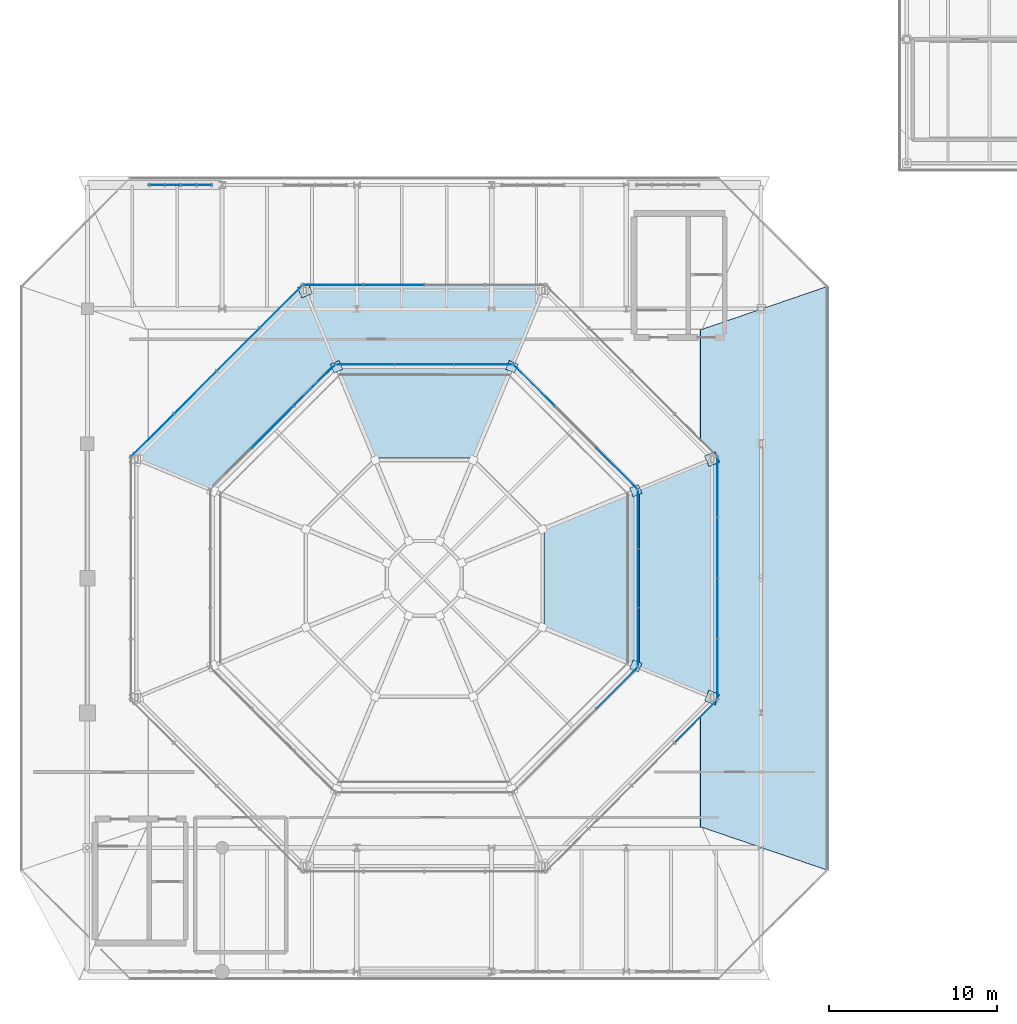
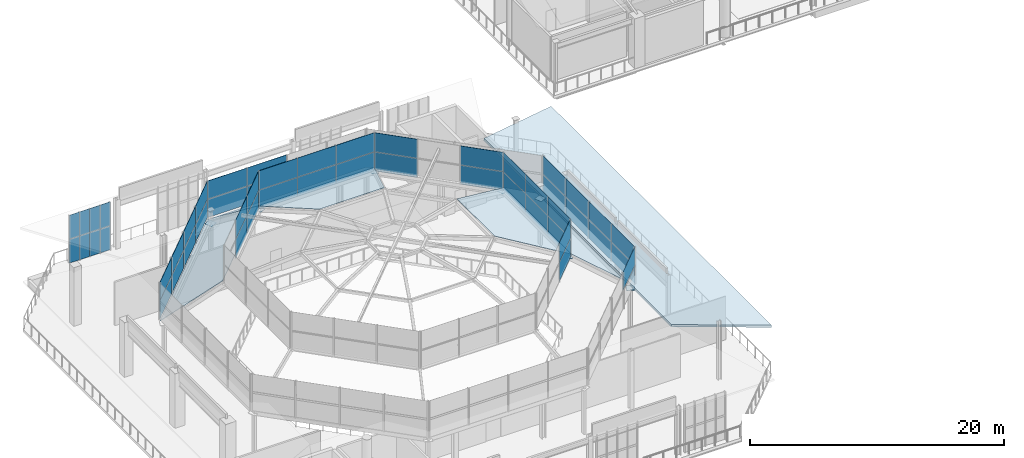
# One storey, part 21 of 30: 63 plates, 1 slab, 10 elements without a shape of their own.
"""IFC4 building model written with IfcOpenShell, lengths in metres."""

from ifc_helpers import new_model, si_unit, direction, frame, origin, origin_2d, place, context, subcontext, project, spatial, polyline, rectangle, outline, extrude, material, layer, layer_set, type_object, element, aggregate, save


model = new_model("IFC4")

# Units and contexts
model_context = context("Model", 3, precision=1e-05, world=origin(), true_north=direction((0.0, 1.0)))
body_context = subcontext(model_context, "Body", "Model", "MODEL_VIEW")
ifc_project = project(units=[si_unit("LENGTHUNIT", "METRE"), si_unit("AREAUNIT", "SQUARE_METRE"), si_unit("VOLUMEUNIT", "CUBIC_METRE"), si_unit("PLANEANGLEUNIT", "RADIAN"), si_unit("MASSUNIT", "GRAM", prefix="KILO")], contexts=[model_context])

# Site, building, storey
site_placement = place(None, origin())
site = spatial("IfcSite", under=ifc_project, at=site_placement, CompositionType="ELEMENT")
building_placement = place(site_placement, origin())
building = spatial("IfcBuilding", under=site, at=building_placement, Name="Brisemont Oceanarium", CompositionType="ELEMENT")
storey_placement = place(building_placement, frame((0.0, 0.0, 19.800048828125)))
storey = spatial("IfcBuildingStorey", under=building, at=storey_placement, Name="L04", CompositionType="ELEMENT", Elevation=19.800048828125)

# Curtain wall, plates
ifc_material_1 = material(Name="Anodized Extruded Aluminum 6063-T6", Category="aluminium")
curtain_wall_type_1 = type_object("IfcCurtainWallType", Name="CW-CLR-48X34", PredefinedType="NOTDEFINED", material=ifc_material_1)
curtain_wall_1_placement = place(storey_placement, origin())
curtain_wall_1 = element("IfcCurtainWall", 1, at=curtain_wall_1_placement, inside=storey, type_object=curtain_wall_type_1, Name="CW-22 curtain wall CW-DOME-UP-1", PredefinedType="NOTDEFINED")
ifc_material_2 = material(Name="Ceramic-Fritted Spandrel Glass", Category="glass")
ifc_layer_1 = layer(ifc_material_2, 0.030029296875)
ifc_layer_set_1 = layer_set([ifc_layer_1], Name="Ceramic-Fritted Spandrel Glass")
plate_type_1 = type_object("IfcPlateType", Name="PLT-CWP-S4", PredefinedType="CURTAIN_PANEL", material=ifc_layer_set_1)
plate_1_placement = place(storey_placement, frame((95.463134765625, 62.502197265625, 7.75146484375), z_axis=(0.0, 0.0, 1.0), x_axis=(-0.707106781187, 0.707106781187, 0.0)))
plate_1 = element("IfcPlate", 2, at=plate_1_placement, type_object=plate_type_1, Name="CW-DOME-UP-1 panel 1.1", PredefinedType="CURTAIN_PANEL", context=body_context, shape_type="SweptSolid", body=[
    extrude(rectangle(XDim=3.5048828125, YDim=0.030029296875, at=origin_2d()), origin(), (0.0, 0.0, 1.0), 1.846923828125),
])
plate_2_placement = place(storey_placement, frame((95.463134765625, 62.502197265625, 9.6015625), z_axis=(0.0, 0.0, 1.0), x_axis=(-0.707106781187, 0.707106781187, 0.0)))
plate_2 = element("IfcPlate", 3, at=plate_2_placement, type_object=plate_type_1, Name="CW-DOME-UP-1 panel 1.2", PredefinedType="CURTAIN_PANEL", context=body_context, shape_type="SweptSolid", body=[
    extrude(rectangle(XDim=3.5048828125, YDim=0.030029296875, at=origin_2d()), origin(), (0.0, 0.0, 1.0), 1.846923828125),
])
plate_3_placement = place(storey_placement, frame((90.502197265625, 67.463134765625, 7.75146484375), z_axis=(0.0, 0.0, 1.0), x_axis=(-0.707106781187, 0.707106781187, 0.0)))
plate_3 = element("IfcPlate", 4, at=plate_3_placement, type_object=plate_type_1, Name="CW-DOME-UP-1 panel 3.1", PredefinedType="CURTAIN_PANEL", context=body_context, shape_type="SweptSolid", body=[
    extrude(rectangle(XDim=3.5048828125, YDim=0.030029296875, at=origin_2d()), origin(), (0.0, 0.0, 1.0), 1.846923828125),
])
plate_4_placement = place(storey_placement, frame((90.502197265625, 67.463134765625, 9.6015625), z_axis=(0.0, 0.0, 1.0), x_axis=(-0.707106781187, 0.707106781187, 0.0)))
plate_4 = element("IfcPlate", 5, at=plate_4_placement, type_object=plate_type_1, Name="CW-DOME-UP-1 panel 3.2", PredefinedType="CURTAIN_PANEL", context=body_context, shape_type="SweptSolid", body=[
    extrude(rectangle(XDim=3.5048828125, YDim=0.030029296875, at=origin_2d()), origin(), (0.0, 0.0, 1.0), 1.846923828125),
])
aggregate(curtain_wall_1, [plate_1, plate_2, plate_3, plate_4])

curtain_wall_2_placement = place(storey_placement, origin())
curtain_wall_2 = element("IfcCurtainWall", 6, at=curtain_wall_2_placement, inside=storey, type_object=curtain_wall_type_1, Name="CW-22 curtain wall CW-DOME-UP-2", PredefinedType="NOTDEFINED")
plate_5_placement = place(storey_placement, frame((87.5078125, 68.703369140625, 7.75146484375), z_axis=(0.0, 0.0, 1.0), x_axis=(-1.0, 0.0, 0.0)))
plate_5 = element("IfcPlate", 7, at=plate_5_placement, type_object=plate_type_1, Name="CW-DOME-UP-2 panel 1.1", PredefinedType="CURTAIN_PANEL", context=body_context, shape_type="SweptSolid", body=[
    extrude(rectangle(XDim=3.5048828125, YDim=0.030029296875, at=origin_2d()), origin(), (0.0, 0.0, 1.0), 1.846923828125),
])
plate_6_placement = place(storey_placement, frame((87.5078125, 68.703369140625, 9.6015625), z_axis=(0.0, 0.0, 1.0), x_axis=(-1.0, 0.0, 0.0)))
plate_6 = element("IfcPlate", 8, at=plate_6_placement, type_object=plate_type_1, Name="CW-DOME-UP-2 panel 1.2", PredefinedType="CURTAIN_PANEL", context=body_context, shape_type="SweptSolid", body=[
    extrude(rectangle(XDim=3.5048828125, YDim=0.030029296875, at=origin_2d()), origin(), (0.0, 0.0, 1.0), 1.846923828125),
])
plate_7_placement = place(storey_placement, frame((84.0, 68.703369140625, 7.75146484375), z_axis=(0.0, 0.0, 1.0), x_axis=(-1.0, 0.0, 0.0)))
plate_7 = element("IfcPlate", 9, at=plate_7_placement, type_object=plate_type_1, Name="CW-DOME-UP-2 panel 2.1", PredefinedType="CURTAIN_PANEL", context=body_context, shape_type="SweptSolid", body=[
    extrude(rectangle(XDim=3.5048828125, YDim=0.030029296875, at=origin_2d()), origin(), (0.0, 0.0, 1.0), 1.846923828125),
])
plate_8_placement = place(storey_placement, frame((84.0, 68.703369140625, 9.6015625), z_axis=(0.0, 0.0, 1.0), x_axis=(-1.0, 0.0, 0.0)))
plate_8 = element("IfcPlate", 10, at=plate_8_placement, type_object=plate_type_1, Name="CW-DOME-UP-2 panel 2.2", PredefinedType="CURTAIN_PANEL", context=body_context, shape_type="SweptSolid", body=[
    extrude(rectangle(XDim=3.5048828125, YDim=0.030029296875, at=origin_2d()), origin(), (0.0, 0.0, 1.0), 1.846923828125),
])
plate_9_placement = place(storey_placement, frame((80.4921875, 68.703369140625, 7.75146484375), z_axis=(0.0, 0.0, 1.0), x_axis=(-1.0, 0.0, 0.0)))
plate_9 = element("IfcPlate", 11, at=plate_9_placement, type_object=plate_type_1, Name="CW-DOME-UP-2 panel 3.1", PredefinedType="CURTAIN_PANEL", context=body_context, shape_type="SweptSolid", body=[
    extrude(rectangle(XDim=3.5048828125, YDim=0.030029296875, at=origin_2d()), origin(), (0.0, 0.0, 1.0), 1.846923828125),
])
plate_10_placement = place(storey_placement, frame((80.4921875, 68.703369140625, 9.6015625), z_axis=(0.0, 0.0, 1.0), x_axis=(-1.0, 0.0, 0.0)))
plate_10 = element("IfcPlate", 12, at=plate_10_placement, type_object=plate_type_1, Name="CW-DOME-UP-2 panel 3.2", PredefinedType="CURTAIN_PANEL", context=body_context, shape_type="SweptSolid", body=[
    extrude(rectangle(XDim=3.5048828125, YDim=0.030029296875, at=origin_2d()), origin(), (0.0, 0.0, 1.0), 1.846923828125),
])
aggregate(curtain_wall_2, [plate_5, plate_6, plate_7, plate_8, plate_9, plate_10])

curtain_wall_3_placement = place(storey_placement, origin())
curtain_wall_3 = element("IfcCurtainWall", 13, at=curtain_wall_3_placement, inside=storey, type_object=curtain_wall_type_1, Name="CW-22 curtain wall CW-DOME-UP-3", PredefinedType="NOTDEFINED")
plate_11_placement = place(storey_placement, frame((77.497802734375, 67.463134765625, 7.75146484375), z_axis=(0.0, 0.0, 1.0), x_axis=(-0.707106781187, -0.707106781187, 0.0)))
plate_11 = element("IfcPlate", 14, at=plate_11_placement, type_object=plate_type_1, Name="CW-DOME-UP-3 panel 1.1", PredefinedType="CURTAIN_PANEL", context=body_context, shape_type="SweptSolid", body=[
    extrude(rectangle(XDim=3.5048828125, YDim=0.030029296875, at=origin_2d()), origin(), (0.0, 0.0, 1.0), 1.846923828125),
])
plate_12_placement = place(storey_placement, frame((77.497802734375, 67.463134765625, 9.6015625), z_axis=(0.0, 0.0, 1.0), x_axis=(-0.707106781187, -0.707106781187, 0.0)))
plate_12 = element("IfcPlate", 15, at=plate_12_placement, type_object=plate_type_1, Name="CW-DOME-UP-3 panel 1.2", PredefinedType="CURTAIN_PANEL", context=body_context, shape_type="SweptSolid", body=[
    extrude(rectangle(XDim=3.5048828125, YDim=0.030029296875, at=origin_2d()), origin(), (0.0, 0.0, 1.0), 1.846923828125),
])
plate_13_placement = place(storey_placement, frame((75.017333984375, 64.982666015625, 7.75146484375), z_axis=(0.0, 0.0, 1.0), x_axis=(-0.707106781187, -0.707106781187, 0.0)))
plate_13 = element("IfcPlate", 16, at=plate_13_placement, type_object=plate_type_1, Name="CW-DOME-UP-3 panel 2.1", PredefinedType="CURTAIN_PANEL", context=body_context, shape_type="SweptSolid", body=[
    extrude(rectangle(XDim=3.5048828125, YDim=0.030029296875, at=origin_2d()), origin(), (0.0, 0.0, 1.0), 1.846923828125),
])
plate_14_placement = place(storey_placement, frame((75.017333984375, 64.982666015625, 9.6015625), z_axis=(0.0, 0.0, 1.0), x_axis=(-0.707106781187, -0.707106781187, 0.0)))
plate_14 = element("IfcPlate", 17, at=plate_14_placement, type_object=plate_type_1, Name="CW-DOME-UP-3 panel 2.2", PredefinedType="CURTAIN_PANEL", context=body_context, shape_type="SweptSolid", body=[
    extrude(rectangle(XDim=3.5048828125, YDim=0.030029296875, at=origin_2d()), origin(), (0.0, 0.0, 1.0), 1.846923828125),
])
aggregate(curtain_wall_3, [plate_11, plate_12, plate_13, plate_14])

curtain_wall_4_placement = place(storey_placement, origin())
curtain_wall_4 = element("IfcCurtainWall", 18, at=curtain_wall_4_placement, inside=storey, type_object=curtain_wall_type_1, Name="CW-22 curtain wall CW-DOME-UP-7", PredefinedType="NOTDEFINED")
plate_15_placement = place(storey_placement, frame((95.463134765625, 49.497802734375, 7.75146484375), z_axis=(0.0, 0.0, 1.0), x_axis=(0.707106781187, 0.707106781187, 0.0)))
plate_15 = element("IfcPlate", 19, at=plate_15_placement, type_object=plate_type_1, Name="CW-DOME-UP-7 panel 3.1", PredefinedType="CURTAIN_PANEL", context=body_context, shape_type="SweptSolid", body=[
    extrude(rectangle(XDim=3.5048828125, YDim=0.030029296875, at=origin_2d()), origin(), (0.0, 0.0, 1.0), 1.846923828125),
])
plate_16_placement = place(storey_placement, frame((95.463134765625, 49.497802734375, 9.6015625), z_axis=(0.0, 0.0, 1.0), x_axis=(0.707106781187, 0.707106781187, 0.0)))
plate_16 = element("IfcPlate", 20, at=plate_16_placement, type_object=plate_type_1, Name="CW-DOME-UP-7 panel 3.2", PredefinedType="CURTAIN_PANEL", context=body_context, shape_type="SweptSolid", body=[
    extrude(rectangle(XDim=3.5048828125, YDim=0.030029296875, at=origin_2d()), origin(), (0.0, 0.0, 1.0), 1.846923828125),
])
aggregate(curtain_wall_4, [plate_15, plate_16])

curtain_wall_5_placement = place(storey_placement, origin())
curtain_wall_5 = element("IfcCurtainWall", 21, at=curtain_wall_5_placement, inside=storey, type_object=curtain_wall_type_1, Name="CW-22 curtain wall CW-DOME-UP-8", PredefinedType="NOTDEFINED")
plate_17_placement = place(storey_placement, frame((96.703369140625, 52.4921875, 7.75146484375), z_axis=(0.0, 0.0, 1.0), x_axis=(0.0, 1.0, 0.0)))
plate_17 = element("IfcPlate", 22, at=plate_17_placement, type_object=plate_type_1, Name="CW-DOME-UP-8 panel 1.1", PredefinedType="CURTAIN_PANEL", context=body_context, shape_type="SweptSolid", body=[
    extrude(rectangle(XDim=3.5048828125, YDim=0.030029296875, at=origin_2d()), origin(), (0.0, 0.0, 1.0), 1.846923828125),
])
plate_18_placement = place(storey_placement, frame((96.703369140625, 52.4921875, 9.6015625), z_axis=(0.0, 0.0, 1.0), x_axis=(0.0, 1.0, 0.0)))
plate_18 = element("IfcPlate", 23, at=plate_18_placement, type_object=plate_type_1, Name="CW-DOME-UP-8 panel 1.2", PredefinedType="CURTAIN_PANEL", context=body_context, shape_type="SweptSolid", body=[
    extrude(rectangle(XDim=3.5048828125, YDim=0.030029296875, at=origin_2d()), origin(), (0.0, 0.0, 1.0), 1.846923828125),
])
plate_19_placement = place(storey_placement, frame((96.703369140625, 56.0, 7.75146484375), z_axis=(0.0, 0.0, 1.0), x_axis=(0.0, 1.0, 0.0)))
plate_19 = element("IfcPlate", 24, at=plate_19_placement, type_object=plate_type_1, Name="CW-DOME-UP-8 panel 2.1", PredefinedType="CURTAIN_PANEL", context=body_context, shape_type="SweptSolid", body=[
    extrude(rectangle(XDim=3.5048828125, YDim=0.030029296875, at=origin_2d()), origin(), (0.0, 0.0, 1.0), 1.846923828125),
])
plate_20_placement = place(storey_placement, frame((96.703369140625, 56.0, 9.6015625), z_axis=(0.0, 0.0, 1.0), x_axis=(0.0, 1.0, 0.0)))
plate_20 = element("IfcPlate", 25, at=plate_20_placement, type_object=plate_type_1, Name="CW-DOME-UP-8 panel 2.2", PredefinedType="CURTAIN_PANEL", context=body_context, shape_type="SweptSolid", body=[
    extrude(rectangle(XDim=3.5048828125, YDim=0.030029296875, at=origin_2d()), origin(), (0.0, 0.0, 1.0), 1.846923828125),
])
plate_21_placement = place(storey_placement, frame((96.703369140625, 59.5078125, 7.75146484375), z_axis=(0.0, 0.0, 1.0), x_axis=(0.0, 1.0, 0.0)))
plate_21 = element("IfcPlate", 26, at=plate_21_placement, type_object=plate_type_1, Name="CW-DOME-UP-8 panel 3.1", PredefinedType="CURTAIN_PANEL", context=body_context, shape_type="SweptSolid", body=[
    extrude(rectangle(XDim=3.5048828125, YDim=0.030029296875, at=origin_2d()), origin(), (0.0, 0.0, 1.0), 1.846923828125),
])
plate_22_placement = place(storey_placement, frame((96.703369140625, 59.5078125, 9.6015625), z_axis=(0.0, 0.0, 1.0), x_axis=(0.0, 1.0, 0.0)))
plate_22 = element("IfcPlate", 27, at=plate_22_placement, type_object=plate_type_1, Name="CW-DOME-UP-8 panel 3.2", PredefinedType="CURTAIN_PANEL", context=body_context, shape_type="SweptSolid", body=[
    extrude(rectangle(XDim=3.5048828125, YDim=0.030029296875, at=origin_2d()), origin(), (0.0, 0.0, 1.0), 1.846923828125),
])
aggregate(curtain_wall_5, [plate_17, plate_18, plate_19, plate_20, plate_21, plate_22])

ifc_material_3 = material(Name="Anodized Extruded Aluminum 6063-T6", Category="aluminium")
curtain_wall_type_2 = type_object("IfcCurtainWallType", Name="CW-ROT-69X44", PredefinedType="NOTDEFINED", material=ifc_material_3)
curtain_wall_6_placement = place(storey_placement, origin())
curtain_wall_6 = element("IfcCurtainWall", 28, at=curtain_wall_6_placement, inside=storey, type_object=curtain_wall_type_2, Name="CW-03 curtain wall CW-V1-N-L04-01", PredefinedType="NOTDEFINED")
ifc_material_4 = material(Name="Insulated Low-E Laminated Glass", Category="glass")
ifc_layer_2 = layer(ifc_material_4, 0.028076171875)
ifc_layer_set_2 = layer_set([ifc_layer_2], Name="Insulated Low-E Laminated Glass")
plate_type_2 = type_object("IfcPlateType", Name="PLT-CWP-V3", PredefinedType="CURTAIN_PANEL", material=ifc_layer_set_2)
plate_23_placement = place(storey_placement, frame((68.121337890625, 79.35009765625, 0.00146484375), z_axis=(0.0, 0.0, 1.0), x_axis=(1.0, 0.0, 0.0)))
plate_23 = element("IfcPlate", 29, at=plate_23_placement, type_object=plate_type_2, Name="CW-V1-N-L04-01 panel 1.1", PredefinedType="CURTAIN_PANEL", context=body_context, shape_type="SweptSolid", body=[
    extrude(rectangle(XDim=0.939453125, YDim=0.028076171875, at=origin_2d()), origin(), (0.0, 0.0, 1.0), 2.297119140625),
])
plate_24_placement = place(storey_placement, frame((68.121337890625, 79.35009765625, 2.30126953125), z_axis=(0.0, 0.0, 1.0), x_axis=(1.0, 0.0, 0.0)))
plate_24 = element("IfcPlate", 30, at=plate_24_placement, type_object=plate_type_2, Name="CW-V1-N-L04-01 panel 1.2", PredefinedType="CURTAIN_PANEL", context=body_context, shape_type="SweptSolid", body=[
    extrude(rectangle(XDim=0.939453125, YDim=0.028076171875, at=origin_2d()), origin(), (0.0, 0.0, 1.0), 2.297119140625),
])
plate_25_placement = place(storey_placement, frame((69.063720703125, 79.35009765625, 0.00146484375), z_axis=(0.0, 0.0, 1.0), x_axis=(1.0, 0.0, 0.0)))
plate_25 = element("IfcPlate", 31, at=plate_25_placement, type_object=plate_type_2, Name="CW-V1-N-L04-01 panel 2.1", PredefinedType="CURTAIN_PANEL", context=body_context, shape_type="SweptSolid", body=[
    extrude(rectangle(XDim=0.939453125, YDim=0.028076171875, at=origin_2d()), origin(), (0.0, 0.0, 1.0), 2.297119140625),
])
plate_26_placement = place(storey_placement, frame((69.063720703125, 79.35009765625, 2.30126953125), z_axis=(0.0, 0.0, 1.0), x_axis=(1.0, 0.0, 0.0)))
plate_26 = element("IfcPlate", 32, at=plate_26_placement, type_object=plate_type_2, Name="CW-V1-N-L04-01 panel 2.2", PredefinedType="CURTAIN_PANEL", context=body_context, shape_type="SweptSolid", body=[
    extrude(rectangle(XDim=0.939453125, YDim=0.028076171875, at=origin_2d()), origin(), (0.0, 0.0, 1.0), 2.297119140625),
])
plate_27_placement = place(storey_placement, frame((70.00634765625, 79.35009765625, 0.00146484375), z_axis=(0.0, 0.0, 1.0), x_axis=(1.0, 0.0, 0.0)))
plate_27 = element("IfcPlate", 33, at=plate_27_placement, type_object=plate_type_2, Name="CW-V1-N-L04-01 panel 3.1", PredefinedType="CURTAIN_PANEL", context=body_context, shape_type="SweptSolid", body=[
    extrude(rectangle(XDim=0.939453125, YDim=0.028076171875, at=origin_2d()), origin(), (0.0, 0.0, 1.0), 2.297119140625),
])
plate_28_placement = place(storey_placement, frame((70.00634765625, 79.35009765625, 2.30126953125), z_axis=(0.0, 0.0, 1.0), x_axis=(1.0, 0.0, 0.0)))
plate_28 = element("IfcPlate", 34, at=plate_28_placement, type_object=plate_type_2, Name="CW-V1-N-L04-01 panel 3.2", PredefinedType="CURTAIN_PANEL", context=body_context, shape_type="SweptSolid", body=[
    extrude(rectangle(XDim=0.939453125, YDim=0.028076171875, at=origin_2d()), origin(), (0.0, 0.0, 1.0), 2.297119140625),
])
plate_29_placement = place(storey_placement, frame((70.94873046875, 79.35009765625, 0.00146484375), z_axis=(0.0, 0.0, 1.0), x_axis=(1.0, 0.0, 0.0)))
plate_29 = element("IfcPlate", 35, at=plate_29_placement, type_object=plate_type_2, Name="CW-V1-N-L04-01 panel 4.1", PredefinedType="CURTAIN_PANEL", context=body_context, shape_type="SweptSolid", body=[
    extrude(rectangle(XDim=0.939453125, YDim=0.028076171875, at=origin_2d()), origin(), (0.0, 0.0, 1.0), 2.297119140625),
])
plate_30_placement = place(storey_placement, frame((70.94873046875, 79.35009765625, 2.30126953125), z_axis=(0.0, 0.0, 1.0), x_axis=(1.0, 0.0, 0.0)))
plate_30 = element("IfcPlate", 36, at=plate_30_placement, type_object=plate_type_2, Name="CW-V1-N-L04-01 panel 4.2", PredefinedType="CURTAIN_PANEL", context=body_context, shape_type="SweptSolid", body=[
    extrude(rectangle(XDim=0.939453125, YDim=0.028076171875, at=origin_2d()), origin(), (0.0, 0.0, 1.0), 2.297119140625),
])
aggregate(curtain_wall_6, [plate_23, plate_24, plate_25, plate_26, plate_27, plate_28, plate_29, plate_30])

curtain_wall_7_placement = place(storey_placement, origin())
curtain_wall_7 = element("IfcCurtainWall", 37, at=curtain_wall_7_placement, inside=storey, type_object=curtain_wall_type_2, Name="CW-03 curtain wall CW-DOME-DRUM-2", PredefinedType="NOTDEFINED")
plate_31_placement = place(storey_placement, frame((82.196533203125, 73.4150390625, 4.78125), z_axis=(0.0, 0.0, 1.0), x_axis=(-1.0, 0.0, 0.0)))
plate_31 = element("IfcPlate", 38, at=plate_31_placement, type_object=plate_type_2, Name="CW-DOME-DRUM-2 panel 3.1", PredefinedType="CURTAIN_PANEL", context=body_context, shape_type="SweptSolid", body=[
    extrude(rectangle(XDim=3.603759765625, YDim=0.028076171875, at=origin_2d()), origin(), (0.0, 0.0, 1.0), 1.757080078125),
])
plate_32_placement = place(storey_placement, frame((82.196533203125, 73.4150390625, 6.54150390625), z_axis=(0.0, 0.0, 1.0), x_axis=(-1.0, 0.0, 0.0)))
plate_32 = element("IfcPlate", 39, at=plate_32_placement, type_object=plate_type_2, Name="CW-DOME-DRUM-2 panel 3.2", PredefinedType="CURTAIN_PANEL", context=body_context, shape_type="SweptSolid", body=[
    extrude(rectangle(XDim=3.603759765625, YDim=0.028076171875, at=origin_2d()), origin(), (0.0, 0.0, 1.0), 1.757080078125),
])
plate_33_placement = place(storey_placement, frame((78.58984375, 73.4150390625, 4.78125), z_axis=(0.0, 0.0, 1.0), x_axis=(-1.0, 0.0, 0.0)))
plate_33 = element("IfcPlate", 40, at=plate_33_placement, type_object=plate_type_2, Name="CW-DOME-DRUM-2 panel 4.1", PredefinedType="CURTAIN_PANEL", context=body_context, shape_type="SweptSolid", body=[
    extrude(rectangle(XDim=3.603759765625, YDim=0.028076171875, at=origin_2d()), origin(), (0.0, 0.0, 1.0), 1.757080078125),
])
plate_34_placement = place(storey_placement, frame((78.58984375, 73.4150390625, 6.54150390625), z_axis=(0.0, 0.0, 1.0), x_axis=(-1.0, 0.0, 0.0)))
plate_34 = element("IfcPlate", 41, at=plate_34_placement, type_object=plate_type_2, Name="CW-DOME-DRUM-2 panel 4.2", PredefinedType="CURTAIN_PANEL", context=body_context, shape_type="SweptSolid", body=[
    extrude(rectangle(XDim=3.603759765625, YDim=0.028076171875, at=origin_2d()), origin(), (0.0, 0.0, 1.0), 1.757080078125),
])
aggregate(curtain_wall_7, [plate_31, plate_32, plate_33, plate_34])

curtain_wall_8_placement = place(storey_placement, origin())
curtain_wall_8 = element("IfcCurtainWall", 42, at=curtain_wall_8_placement, inside=storey, type_object=curtain_wall_type_2, Name="CW-03 curtain wall CW-DOME-DRUM-3", PredefinedType="NOTDEFINED")
plate_35_placement = place(storey_placement, frame((75.51123046875, 72.139892578125, 4.78125), z_axis=(0.0, 0.0, 1.0), x_axis=(-0.707106781187, -0.707106781187, 0.0)))
plate_35 = element("IfcPlate", 43, at=plate_35_placement, type_object=plate_type_2, Name="CW-DOME-DRUM-3 panel 1.1", PredefinedType="CURTAIN_PANEL", context=body_context, shape_type="SweptSolid", body=[
    extrude(rectangle(XDim=3.603759765625, YDim=0.028076171875, at=origin_2d()), origin(), (0.0, 0.0, 1.0), 1.757080078125),
])
plate_36_placement = place(storey_placement, frame((75.51123046875, 72.139892578125, 6.54150390625), z_axis=(0.0, 0.0, 1.0), x_axis=(-0.707106781187, -0.707106781187, 0.0)))
plate_36 = element("IfcPlate", 44, at=plate_36_placement, type_object=plate_type_2, Name="CW-DOME-DRUM-3 panel 1.2", PredefinedType="CURTAIN_PANEL", context=body_context, shape_type="SweptSolid", body=[
    extrude(rectangle(XDim=3.603759765625, YDim=0.028076171875, at=origin_2d()), origin(), (0.0, 0.0, 1.0), 1.757080078125),
])
plate_37_placement = place(storey_placement, frame((72.960693359375, 69.589599609375, 4.78125), z_axis=(0.0, 0.0, 1.0), x_axis=(-0.707106781187, -0.707106781187, 0.0)))
plate_37 = element("IfcPlate", 45, at=plate_37_placement, type_object=plate_type_2, Name="CW-DOME-DRUM-3 panel 2.1", PredefinedType="CURTAIN_PANEL", context=body_context, shape_type="SweptSolid", body=[
    extrude(rectangle(XDim=3.603759765625, YDim=0.028076171875, at=origin_2d()), origin(), (0.0, 0.0, 1.0), 1.757080078125),
])
plate_38_placement = place(storey_placement, frame((72.960693359375, 69.589599609375, 6.54150390625), z_axis=(0.0, 0.0, 1.0), x_axis=(-0.707106781187, -0.707106781187, 0.0)))
plate_38 = element("IfcPlate", 46, at=plate_38_placement, type_object=plate_type_2, Name="CW-DOME-DRUM-3 panel 2.2", PredefinedType="CURTAIN_PANEL", context=body_context, shape_type="SweptSolid", body=[
    extrude(rectangle(XDim=3.603759765625, YDim=0.028076171875, at=origin_2d()), origin(), (0.0, 0.0, 1.0), 1.757080078125),
])
plate_39_placement = place(storey_placement, frame((70.410400390625, 67.039306640625, 4.78125), z_axis=(0.0, 0.0, 1.0), x_axis=(-0.707106781187, -0.707106781187, 0.0)))
plate_39 = element("IfcPlate", 47, at=plate_39_placement, type_object=plate_type_2, Name="CW-DOME-DRUM-3 panel 3.1", PredefinedType="CURTAIN_PANEL", context=body_context, shape_type="SweptSolid", body=[
    extrude(rectangle(XDim=3.603759765625, YDim=0.028076171875, at=origin_2d()), origin(), (0.0, 0.0, 1.0), 1.757080078125),
])
plate_40_placement = place(storey_placement, frame((70.410400390625, 67.039306640625, 6.54150390625), z_axis=(0.0, 0.0, 1.0), x_axis=(-0.707106781187, -0.707106781187, 0.0)))
plate_40 = element("IfcPlate", 48, at=plate_40_placement, type_object=plate_type_2, Name="CW-DOME-DRUM-3 panel 3.2", PredefinedType="CURTAIN_PANEL", context=body_context, shape_type="SweptSolid", body=[
    extrude(rectangle(XDim=3.603759765625, YDim=0.028076171875, at=origin_2d()), origin(), (0.0, 0.0, 1.0), 1.757080078125),
])
plate_41_placement = place(storey_placement, frame((67.860107421875, 64.48876953125, 4.78125), z_axis=(0.0, 0.0, 1.0), x_axis=(-0.707106781187, -0.707106781187, 0.0)))
plate_41 = element("IfcPlate", 49, at=plate_41_placement, type_object=plate_type_2, Name="CW-DOME-DRUM-3 panel 4.1", PredefinedType="CURTAIN_PANEL", context=body_context, shape_type="SweptSolid", body=[
    extrude(rectangle(XDim=3.603759765625, YDim=0.028076171875, at=origin_2d()), origin(), (0.0, 0.0, 1.0), 1.757080078125),
])
plate_42_placement = place(storey_placement, frame((67.860107421875, 64.48876953125, 6.54150390625), z_axis=(0.0, 0.0, 1.0), x_axis=(-0.707106781187, -0.707106781187, 0.0)))
plate_42 = element("IfcPlate", 50, at=plate_42_placement, type_object=plate_type_2, Name="CW-DOME-DRUM-3 panel 4.2", PredefinedType="CURTAIN_PANEL", context=body_context, shape_type="SweptSolid", body=[
    extrude(rectangle(XDim=3.603759765625, YDim=0.028076171875, at=origin_2d()), origin(), (0.0, 0.0, 1.0), 1.757080078125),
])
aggregate(curtain_wall_8, [plate_35, plate_36, plate_37, plate_38, plate_39, plate_40, plate_41, plate_42])

# Curtain wall, plate
curtain_wall_9_placement = place(storey_placement, origin())
curtain_wall_9 = element("IfcCurtainWall", 51, at=curtain_wall_9_placement, inside=storey, type_object=curtain_wall_type_2, Name="CW-03 curtain wall CW-DOME-DRUM-7", PredefinedType="NOTDEFINED")
plate_43_placement = place(storey_placement, frame((100.139892578125, 47.51123046875, 6.54150390625), z_axis=(0.0, 0.0, 1.0), x_axis=(0.707106781187, 0.707106781187, 0.0)))
plate_43 = element("IfcPlate", 52, at=plate_43_placement, type_object=plate_type_2, Name="CW-DOME-DRUM-7 panel 4.2", PredefinedType="CURTAIN_PANEL", context=body_context, shape_type="SweptSolid", body=[
    extrude(rectangle(XDim=3.603759765625, YDim=0.028076171875, at=origin_2d()), origin(), (0.0, 0.0, 1.0), 1.757080078125),
])
aggregate(curtain_wall_9, [plate_43])

# Curtain wall, plates
curtain_wall_10_placement = place(storey_placement, origin())
curtain_wall_10 = element("IfcCurtainWall", 53, at=curtain_wall_10_placement, inside=storey, type_object=curtain_wall_type_2, Name="CW-03 curtain wall CW-DOME-DRUM-8", PredefinedType="NOTDEFINED")
plate_44_placement = place(storey_placement, frame((101.4150390625, 50.58984375, 4.78125), z_axis=(0.0, 0.0, 1.0), x_axis=(0.0, 1.0, 0.0)))
plate_44 = element("IfcPlate", 54, at=plate_44_placement, type_object=plate_type_2, Name="CW-DOME-DRUM-8 panel 1.1", PredefinedType="CURTAIN_PANEL", context=body_context, shape_type="SweptSolid", body=[
    extrude(rectangle(XDim=3.603759765625, YDim=0.028076171875, at=origin_2d()), origin(), (0.0, 0.0, 1.0), 1.757080078125),
])
plate_45_placement = place(storey_placement, frame((101.4150390625, 50.58984375, 6.54150390625), z_axis=(0.0, 0.0, 1.0), x_axis=(0.0, 1.0, 0.0)))
plate_45 = element("IfcPlate", 55, at=plate_45_placement, type_object=plate_type_2, Name="CW-DOME-DRUM-8 panel 1.2", PredefinedType="CURTAIN_PANEL", context=body_context, shape_type="SweptSolid", body=[
    extrude(rectangle(XDim=3.603759765625, YDim=0.028076171875, at=origin_2d()), origin(), (0.0, 0.0, 1.0), 1.757080078125),
])
plate_46_placement = place(storey_placement, frame((101.4150390625, 54.196533203125, 4.78125), z_axis=(0.0, 0.0, 1.0), x_axis=(0.0, 1.0, 0.0)))
plate_46 = element("IfcPlate", 56, at=plate_46_placement, type_object=plate_type_2, Name="CW-DOME-DRUM-8 panel 2.1", PredefinedType="CURTAIN_PANEL", context=body_context, shape_type="SweptSolid", body=[
    extrude(rectangle(XDim=3.603759765625, YDim=0.028076171875, at=origin_2d()), origin(), (0.0, 0.0, 1.0), 1.757080078125),
])
plate_47_placement = place(storey_placement, frame((101.4150390625, 54.196533203125, 6.54150390625), z_axis=(0.0, 0.0, 1.0), x_axis=(0.0, 1.0, 0.0)))
plate_47 = element("IfcPlate", 57, at=plate_47_placement, type_object=plate_type_2, Name="CW-DOME-DRUM-8 panel 2.2", PredefinedType="CURTAIN_PANEL", context=body_context, shape_type="SweptSolid", body=[
    extrude(rectangle(XDim=3.603759765625, YDim=0.028076171875, at=origin_2d()), origin(), (0.0, 0.0, 1.0), 1.757080078125),
])
plate_48_placement = place(storey_placement, frame((101.4150390625, 57.803466796875, 4.78125), z_axis=(0.0, 0.0, 1.0), x_axis=(0.0, 1.0, 0.0)))
plate_48 = element("IfcPlate", 58, at=plate_48_placement, type_object=plate_type_2, Name="CW-DOME-DRUM-8 panel 3.1", PredefinedType="CURTAIN_PANEL", context=body_context, shape_type="SweptSolid", body=[
    extrude(rectangle(XDim=3.603759765625, YDim=0.028076171875, at=origin_2d()), origin(), (0.0, 0.0, 1.0), 1.757080078125),
])
plate_49_placement = place(storey_placement, frame((101.4150390625, 57.803466796875, 6.54150390625), z_axis=(0.0, 0.0, 1.0), x_axis=(0.0, 1.0, 0.0)))
plate_49 = element("IfcPlate", 59, at=plate_49_placement, type_object=plate_type_2, Name="CW-DOME-DRUM-8 panel 3.2", PredefinedType="CURTAIN_PANEL", context=body_context, shape_type="SweptSolid", body=[
    extrude(rectangle(XDim=3.603759765625, YDim=0.028076171875, at=origin_2d()), origin(), (0.0, 0.0, 1.0), 1.757080078125),
])
plate_50_placement = place(storey_placement, frame((101.4150390625, 61.41015625, 4.78125), z_axis=(0.0, 0.0, 1.0), x_axis=(0.0, 1.0, 0.0)))
plate_50 = element("IfcPlate", 60, at=plate_50_placement, type_object=plate_type_2, Name="CW-DOME-DRUM-8 panel 4.1", PredefinedType="CURTAIN_PANEL", context=body_context, shape_type="SweptSolid", body=[
    extrude(rectangle(XDim=3.603759765625, YDim=0.028076171875, at=origin_2d()), origin(), (0.0, 0.0, 1.0), 1.757080078125),
])
plate_51_placement = place(storey_placement, frame((101.4150390625, 61.41015625, 6.54150390625), z_axis=(0.0, 0.0, 1.0), x_axis=(0.0, 1.0, 0.0)))
plate_51 = element("IfcPlate", 61, at=plate_51_placement, type_object=plate_type_2, Name="CW-DOME-DRUM-8 panel 4.2", PredefinedType="CURTAIN_PANEL", context=body_context, shape_type="SweptSolid", body=[
    extrude(rectangle(XDim=3.603759765625, YDim=0.028076171875, at=origin_2d()), origin(), (0.0, 0.0, 1.0), 1.757080078125),
])
aggregate(curtain_wall_10, [plate_44, plate_45, plate_46, plate_47, plate_48, plate_49, plate_50, plate_51])

# Plates
ifc_material_5 = material(Name="Insulated Low-E Laminated Glass", Category="glass")
ifc_layer_3 = layer(ifc_material_5, 0.035888671875)
ifc_layer_set_3 = layer_set([ifc_layer_3], Name="Insulated Low-E Laminated Glass")
plate_type_3 = type_object("IfcPlateType", Name="PLT-DOME-GL1", PredefinedType="USERDEFINED", material=ifc_layer_set_3)
plate_52_placement = place(storey_placement, frame((91.20703125, 73.3994140625, 4.619873046875), z_axis=(0.0, 0.595962864768, 0.803011994815), x_axis=(-1.0, 0.0, 0.0)))
element("IfcPlate", 62, at=plate_52_placement, inside=storey, type_object=plate_type_3, Name="V1 dome laminated skylight facet 1.2", ObjectType="SKYLIGHT_PANEL", PredefinedType="USERDEFINED", context=body_context, shape_type="SweptSolid", body=[
    extrude(outline(polyline([(0.0, 0.0), (14.4140625, 0.0), (12.505126953125, 5.738891158855395), (1.908935546875, 5.738891158855395), (0.0, 0.0)])), origin(), (0.0, 0.0, -1.0), 0.035888671875),
])
plate_53_placement = place(storey_placement, frame((76.79296875, 73.3994140625, 4.619873046875), z_axis=(-0.421406280375, 0.421406280375, 0.803015251239), x_axis=(-0.707106781187, -0.707106781187, 0.0)))
element("IfcPlate", 63, at=plate_53_placement, inside=storey, type_object=plate_type_3, Name="V1 dome laminated skylight facet 1.3", ObjectType="SKYLIGHT_PANEL", PredefinedType="USERDEFINED", context=body_context, shape_type="SweptSolid", body=[
    extrude(outline(polyline([(0.0, 0.0), (14.414206006335931, 0.0), (12.505397490813555, 5.738933411913823), (1.9088085155223768, 5.738933411913824), (0.0, 0.0)])), origin(), (0.0, 0.0, -1.0), 0.035888671875),
])
plate_54_placement = place(storey_placement, frame((101.3994140625, 48.79296875, 4.619873046875), z_axis=(0.595962864768, 0.0, 0.803011994815), x_axis=(0.0, 1.0, 0.0)))
element("IfcPlate", 64, at=plate_54_placement, inside=storey, type_object=plate_type_3, Name="V1 dome laminated skylight facet 1.8", ObjectType="SKYLIGHT_PANEL", PredefinedType="USERDEFINED", context=body_context, shape_type="SweptSolid", body=[
    extrude(outline(polyline([(0.0, 0.0), (14.4140625, 0.0), (12.505126953125, 5.738891158855395), (1.908935546875, 5.738891158855395), (0.0, 0.0)])), origin(), (0.0, 0.0, -1.0), 0.035888671875),
])
ifc_material_6 = material(Name="Insulated Low-E Laminated Glass", Category="glass")
ifc_layer_4 = layer(ifc_material_6, 0.033935546875)
ifc_layer_set_4 = layer_set([ifc_layer_4], Name="Insulated Low-E Laminated Glass")
plate_type_4 = type_object("IfcPlateType", Name="PLT-DOME-GL2", PredefinedType="USERDEFINED", material=ifc_layer_set_4)
for number, where, z_axis, x_axis, name in (
    (65, (89.298095703125, 68.791015625, 8.0400390625), (0.0, 0.377406331101, 0.926047764019), (-1.0, 0.0, 0.0), "V1 dome laminated skylight facet 2.2"),
    (66, (96.791015625, 50.701904296875, 8.0400390625), (0.377406331101, 0.0, 0.926047764019), (0.0, 1.0, 0.0), "V1 dome laminated skylight facet 2.8"),
):
    element("IfcPlate", number, at=place(storey_placement, frame(where, z_axis=z_axis, x_axis=x_axis)), inside=storey, type_object=plate_type_4, Name=name, ObjectType="SKYLIGHT_PANEL", PredefinedType="USERDEFINED", context=body_context, shape_type="SweptSolid", body=[
        extrude(outline(polyline([(0.0, 0.0), (10.59619140625, 0.0), (8.2587890625, 6.093709877077695), (2.33740234375, 6.093709877077695), (0.0, 0.0)])), origin(), (0.0, 0.0, -1.0), 0.033935546875),
    ])
ifc_material_7 = material(Name="Structural Steel ASTM A572 Gr.50", Category="steel")
ifc_layer_5 = layer(ifc_material_7, 0.031982421875)
ifc_layer_set_5 = layer_set([ifc_layer_5], Name="Structural Steel ASTM A572 Gr.50")
plate_type_5 = type_object("IfcPlateType", Name="PLT-NODE-DN1", PredefinedType="SHEET", material=ifc_layer_set_5)
for number, where, z_axis, x_axis, name in (
    (67, (101.091796875, 63.07958984375, 4.36376953125), (0.0, 0.0, 1.0), (0.923879532511, 0.382683432365, 0.0), "V1 dome structural node plate DN-01"),
    (68, (76.92041015625, 73.091796875, 4.36376953125), (0.0, 0.0, 1.0), (-0.382683432365, 0.923879532511, 0.0), "V1 dome structural node plate DN-01"),
    (69, (101.091796875, 48.92041015625, 4.36376953125), (0.0, 0.0, 1.0), (0.923879532511, -0.382683432365, 0.0), "V1 dome structural node plate DN-01"),
):
    element("IfcPlate", number, at=place(storey_placement, frame(where, z_axis=z_axis, x_axis=x_axis)), inside=storey, type_object=plate_type_5, Name=name, PredefinedType="SHEET", context=body_context, shape_type="SweptSolid", body=[
        extrude(rectangle(XDim=0.679931640625, YDim=0.679931640625, at=origin_2d()), origin(), (0.0, 0.0, 1.0), 0.031982421875),
    ])
ifc_material_8 = material(Name="Structural Steel ASTM A572 Gr.50", Category="steel")
ifc_layer_6 = layer(ifc_material_8, 0.028076171875)
ifc_layer_set_6 = layer_set([ifc_layer_6], Name="Structural Steel ASTM A572 Gr.50")
plate_type_6 = type_object("IfcPlateType", Name="PLT-NODE-DN2", PredefinedType="SHEET", material=ifc_layer_set_6)
for number, where, z_axis, x_axis, name in (
    (70, (96.564697265625, 61.20458984375, 7.7861328125), (0.0, 0.0, 1.0), (0.923879532511, 0.382683432365, 0.0), "V1 dome structural node plate DN-02"),
    (71, (89.20458984375, 68.564697265625, 7.7861328125), (0.0, 0.0, 1.0), (0.382683432365, 0.923879532511, 0.0), "V1 dome structural node plate DN-02"),
    (72, (78.79541015625, 68.564697265625, 7.7861328125), (0.0, 0.0, 1.0), (-0.382683432365, 0.923879532511, 0.0), "V1 dome structural node plate DN-02"),
    (73, (96.564697265625, 50.79541015625, 7.7861328125), (0.0, 0.0, 1.0), (0.923879532511, -0.382683432365, 0.0), "V1 dome structural node plate DN-02"),
):
    element("IfcPlate", number, at=place(storey_placement, frame(where, z_axis=z_axis, x_axis=x_axis)), inside=storey, type_object=plate_type_6, Name=name, PredefinedType="SHEET", context=body_context, shape_type="SweptSolid", body=[
        extrude(rectangle(XDim=0.56005859375, YDim=0.56005859375, at=origin_2d()), origin(), (0.0, 0.0, 1.0), 0.028076171875),
    ])

# Slab
ifc_material_9 = material(Name="Concrete C35/45", Category="concrete")
ifc_layer_7 = layer(ifc_material_9, 0.199951171875)
ifc_layer_set_7 = layer_set([ifc_layer_7], Name="Concrete C35/45")
slab_type = type_object("IfcSlabType", Name="SLB-RF-200", PredefinedType="ROOF", material=ifc_layer_set_7)
slab_placement = place(storey_placement, frame((100.39990234375, 41.25, 5.75), z_axis=(0.149629433129, 0.0, 0.988742146741), x_axis=(0.936609018372, -0.320426792344, -0.1417399642)))
element("IfcSlab", 74, at=slab_placement, inside=storey, type_object=slab_type, Name="V1 drum mansard pitched roof E slope", PredefinedType="ROOF", context=body_context, shape_type="SweptSolid", body=[
    extrude(outline(polyline([(0.0, 0.0), (8.114482678648939, 6.522560269672795e-16), (-3.0043895990439093, 32.870567898927455), (-9.452590374146443, 27.94456181833227), (0.0, 0.0)])), origin(), (0.0, 0.0, -1.0), 0.199951171875),
])

save(model, "model.ifc")
